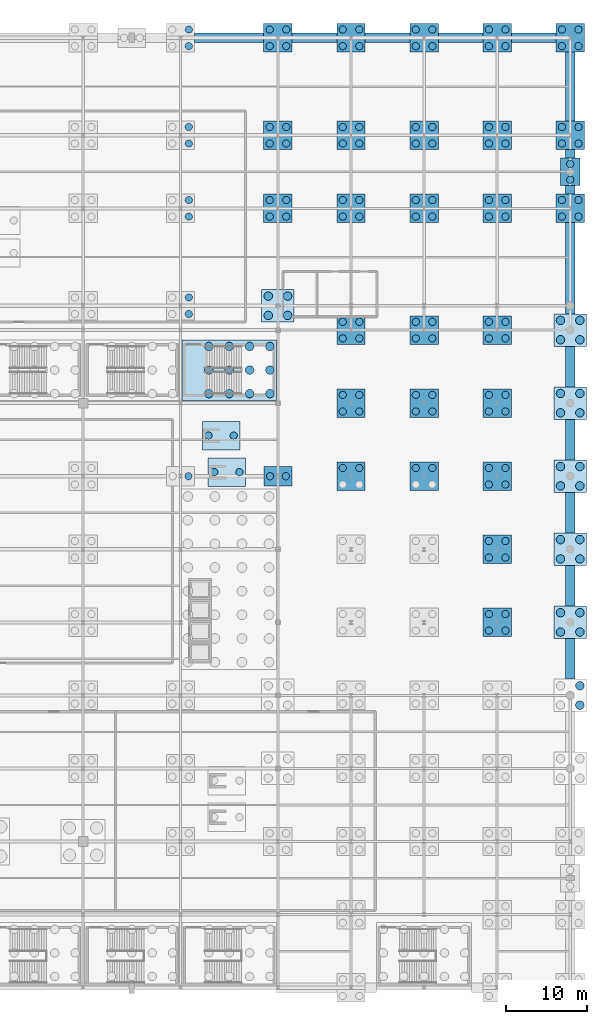
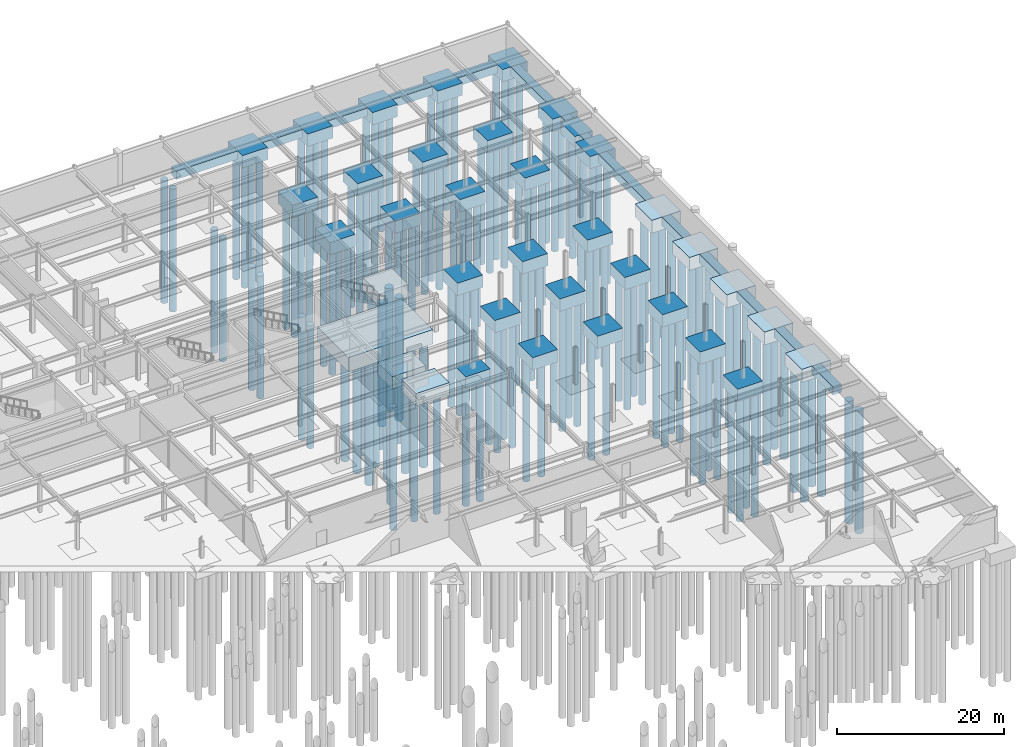
# One storey, part 7 of 47: 155 piles, 51 footings.
"""IFC4 building model written with IfcOpenShell, lengths in metres."""

from ifc_helpers import new_model, si_unit, direction, frame, origin, origin_2d, place, context, subcontext, project, spatial, rectangle, circle, extrude, material, material_profile, profile_set, type_object, element, save


model = new_model("IFC4")

# Units and contexts
model_context = context("Model", 3, precision=1e-05, world=origin(), true_north=direction((0.0, 1.0)))
body_context = subcontext(model_context, "Body", "Model", "MODEL_VIEW")
ifc_project = project(units=[si_unit("LENGTHUNIT", "METRE"), si_unit("AREAUNIT", "SQUARE_METRE"), si_unit("VOLUMEUNIT", "CUBIC_METRE"), si_unit("PLANEANGLEUNIT", "RADIAN"), si_unit("MASSUNIT", "GRAM", prefix="KILO")], contexts=[model_context])

# Site, building, storey
site_placement = place(None, origin())
site = spatial("IfcSite", under=ifc_project, at=site_placement, CompositionType="ELEMENT")
building_placement = place(site_placement, origin())
building = spatial("IfcBuilding", under=site, at=building_placement, Name="Kaldorvane Square Convention Centre", CompositionType="ELEMENT")
storey_placement = place(building_placement, frame((0.0, 0.0, -5.399993896484375)))
storey = spatial("IfcBuildingStorey", under=building, at=storey_placement, Name="B01", CompositionType="ELEMENT", Elevation=-5.399993896484375)

# Footings
ifc_material = material(Name="Concrete f'c = 42 MPa (Normalweight)", Category="concrete")
footing_type_1 = type_object("IfcFootingType", Name="FT-FB-1200X1200", PredefinedType="FOOTING_BEAM", material=ifc_material)
footing_1_placement = place(storey_placement, frame((132.0, 117.0, -1.20001220703125), z_axis=(0.0, 0.0, 1.0), x_axis=(1.0, 0.0, 0.0)))
element("IfcFooting", 1, at=footing_1_placement, inside=storey, type_object=footing_type_1, Name="Seismic Footing Beam 029", PredefinedType="FOOTING_BEAM", context=body_context, shape_type="SweptSolid", body=[
    extrude(rectangle(XDim=8.5, YDim=1.1999969482421875, at=origin_2d()), origin(), (0.0, 0.0, 1.0), 1.1999969482421875),
])
for number, where, z_axis, x_axis, name in (
    (2, (142.5, 117.0, -1.20001220703125), (0.0, 0.0, 1.0), (1.0, 0.0, 0.0), "Seismic Footing Beam 030"),
    (3, (151.5, 117.0, -1.20001220703125), (0.0, 0.0, 1.0), (1.0, 0.0, 0.0), "Seismic Footing Beam 031"),
    (4, (160.5, 117.0, -1.20001220703125), (0.0, 0.0, 1.0), (1.0, 0.0, 0.0), "Seismic Footing Beam 032"),
    (5, (169.5, 117.0, -1.20001220703125), (0.0, 0.0, 1.0), (1.0, 0.0, 0.0), "Seismic Footing Beam 033"),
):
    element("IfcFooting", number, at=place(storey_placement, frame(where, z_axis=z_axis, x_axis=x_axis)), inside=storey, type_object=footing_type_1, Name=name, PredefinedType="FOOTING_BEAM", context=body_context, shape_type="SweptSolid", body=[
        extrude(rectangle(XDim=5.5, YDim=1.1999969482421875, at=origin_2d()), origin(), (0.0, 0.0, 1.0), 1.1999969482421875),
    ])
for number, where, z_axis, x_axis, name in (
    (6, (174.0, 40.5, -1.20001220703125), (0.0, 0.0, 1.0), (1.0, 0.0, 0.0), "Seismic Footing Beam 050"),
    (7, (174.0, 49.5, -1.20001220703125), (0.0, 0.0, 1.0), (1.0, 0.0, 0.0), "Seismic Footing Beam 051"),
    (8, (174.0, 58.5, -1.20001220703125), (0.0, 0.0, 1.0), (1.0, 0.0, 0.0), "Seismic Footing Beam 052"),
    (9, (174.0, 67.5, -1.20001220703125), (0.0, 0.0, 1.0), (1.0, 0.0, 0.0), "Seismic Footing Beam 053"),
    (10, (174.0, 76.5, -1.20001220703125), (0.0, 0.0, 1.0), (1.0, 0.0, 0.0), "Seismic Footing Beam 054"),
):
    element("IfcFooting", number, at=place(storey_placement, frame(where, z_axis=z_axis, x_axis=x_axis)), inside=storey, type_object=footing_type_1, Name=name, PredefinedType="FOOTING_BEAM", context=body_context, shape_type="SweptSolid", body=[
        extrude(rectangle(XDim=1.1999969482421875, YDim=5.0, at=origin_2d()), origin(), (0.0, 0.0, 1.0), 1.1999969482421875),
    ])
footing_2_placement = place(storey_placement, frame((174.0, 88.625, -1.20001220703125), z_axis=(0.0, 0.0, 1.0), x_axis=(1.0, 0.0, 0.0)))
element("IfcFooting", 11, at=footing_2_placement, inside=storey, type_object=footing_type_1, Name="Seismic Footing Beam 055", PredefinedType="FOOTING_BEAM", context=body_context, shape_type="SweptSolid", body=[
    extrude(rectangle(XDim=1.1999969482421875, YDim=11.25, at=origin_2d()), origin(), (0.0, 0.0, 1.0), 1.1999969482421875),
])
for number, where, z_axis, x_axis, name in (
    (12, (174.0, 98.27499389648438, -1.20001220703125), (0.0, 0.0, 1.0), (1.0, 0.0, 0.0), "Seismic Footing Beam 056"),
    (13, (174.0, 102.72500610351562, -1.20001220703125), (0.0, 0.0, 1.0), (1.0, 0.0, 0.0), "Seismic Footing Beam 057"),
):
    element("IfcFooting", number, at=place(storey_placement, frame(where, z_axis=z_axis, x_axis=x_axis)), inside=storey, type_object=footing_type_1, Name=name, PredefinedType="FOOTING_BEAM", context=body_context, shape_type="SweptSolid", body=[
        extrude(rectangle(XDim=1.1999969482421875, YDim=1.0500030517578125, at=origin_2d()), origin(), (0.0, 0.0, 1.0), 1.1999969482421875),
    ])
footing_3_placement = place(storey_placement, frame((174.0, 111.0, -1.20001220703125), z_axis=(0.0, 0.0, 1.0), x_axis=(1.0, 0.0, 0.0)))
element("IfcFooting", 14, at=footing_3_placement, inside=storey, type_object=footing_type_1, Name="Seismic Footing Beam 058", PredefinedType="FOOTING_BEAM", context=body_context, shape_type="SweptSolid", body=[
    extrude(rectangle(XDim=1.1999969482421875, YDim=8.5, at=origin_2d()), origin(), (0.0, 0.0, 1.0), 1.1999969482421875),
])
footing_type_2 = type_object("IfcFootingType", Name="FT-PC-2400X3400", PredefinedType="PILE_CAP", material=ifc_material)
footing_4_placement = place(storey_placement, frame((174.0, 100.5, -1.6500091552734375), z_axis=(0.0, 0.0, 1.0), x_axis=(1.0, 0.0, 0.0)))
element("IfcFooting", 15, at=footing_4_placement, inside=storey, type_object=footing_type_2, Name="Pile Cap FC-39-271", PredefinedType="PILE_CAP", context=body_context, shape_type="SweptSolid", body=[
    extrude(rectangle(XDim=2.399993896484375, YDim=3.399993896484375, at=origin_2d()), origin(), (0.0, 0.0, 1.0), 1.649993896484375),
])
footing_type_3 = type_object("IfcFootingType", Name="FT-PC-3400X2400", PredefinedType="PILE_CAP", material=ifc_material)
footing_5_placement = place(storey_placement, frame((138.0, 63.0, -1.6500091552734375), z_axis=(0.0, 0.0, 1.0), x_axis=(1.0, 0.0, 0.0)))
element("IfcFooting", 16, at=footing_5_placement, inside=storey, type_object=footing_type_3, Name="Pile Cap FC-38-197", PredefinedType="PILE_CAP", context=body_context, shape_type="SweptSolid", body=[
    extrude(rectangle(XDim=3.399993896484375, YDim=2.399993896484375, at=origin_2d()), origin(), (0.0, 0.0, 1.0), 1.649993896484375),
])
footing_type_4 = type_object("IfcFootingType", Name="FT-PC-3500X3500", PredefinedType="PILE_CAP", material=ifc_material)
for number, where, z_axis, x_axis, name in (
    (17, (138.0, 96.0, -1.800018310546875), (0.0, 0.0, 1.0), (1.0, 0.0, 0.0), "Pile Cap FC-36-201"),
    (18, (138.0, 105.0, -1.800018310546875), (0.0, 0.0, 1.0), (1.0, 0.0, 0.0), "Pile Cap FC-36-202"),
    (19, (138.0, 117.0, -1.800018310546875), (0.0, 0.0, 1.0), (1.0, 0.0, 0.0), "Pile Cap FC-36-203"),
    (20, (147.0, 63.0, -1.800018310546875), (0.0, 0.0, 1.0), (1.0, 0.0, 0.0), "Pile Cap FC-36-211"),
    (21, (147.0, 72.0, -1.800018310546875), (0.0, 0.0, 1.0), (1.0, 0.0, 0.0), "Pile Cap FC-36-212"),
    (22, (147.0, 81.0, -1.800018310546875), (0.0, 0.0, 1.0), (1.0, 0.0, 0.0), "Pile Cap FC-36-213"),
    (23, (147.0, 96.0, -1.800018310546875), (0.0, 0.0, 1.0), (1.0, 0.0, 0.0), "Pile Cap FC-36-215"),
    (24, (147.0, 105.0, -1.800018310546875), (0.0, 0.0, 1.0), (1.0, 0.0, 0.0), "Pile Cap FC-36-216"),
    (25, (147.0, 117.0, -1.800018310546875), (0.0, 0.0, 1.0), (1.0, 0.0, 0.0), "Pile Cap FC-36-217"),
    (26, (156.0, 63.0, -1.800018310546875), (0.0, 0.0, 1.0), (1.0, 0.0, 0.0), "Pile Cap FC-36-225"),
    (27, (156.0, 72.0, -1.800018310546875), (0.0, 0.0, 1.0), (1.0, 0.0, 0.0), "Pile Cap FC-36-226"),
    (28, (156.0, 81.0, -1.800018310546875), (0.0, 0.0, 1.0), (1.0, 0.0, 0.0), "Pile Cap FC-36-227"),
    (29, (156.0, 96.0, -1.800018310546875), (0.0, 0.0, 1.0), (1.0, 0.0, 0.0), "Pile Cap FC-36-229"),
    (30, (156.0, 105.0, -1.800018310546875), (0.0, 0.0, 1.0), (1.0, 0.0, 0.0), "Pile Cap FC-36-230"),
    (31, (156.0, 117.0, -1.800018310546875), (0.0, 0.0, 1.0), (1.0, 0.0, 0.0), "Pile Cap FC-36-231"),
    (32, (165.0, 45.0, -1.800018310546875), (0.0, 0.0, 1.0), (1.0, 0.0, 0.0), "Pile Cap FC-36-237"),
    (33, (165.0, 54.0, -1.800018310546875), (0.0, 0.0, 1.0), (1.0, 0.0, 0.0), "Pile Cap FC-36-238"),
    (34, (165.0, 63.0, -1.800018310546875), (0.0, 0.0, 1.0), (1.0, 0.0, 0.0), "Pile Cap FC-36-239"),
    (35, (165.0, 72.0, -1.800018310546875), (0.0, 0.0, 1.0), (1.0, 0.0, 0.0), "Pile Cap FC-36-240"),
    (36, (165.0, 81.0, -1.800018310546875), (0.0, 0.0, 1.0), (1.0, 0.0, 0.0), "Pile Cap FC-36-241"),
    (37, (165.0, 96.0, -1.800018310546875), (0.0, 0.0, 1.0), (1.0, 0.0, 0.0), "Pile Cap FC-36-243"),
    (38, (165.0, 105.0, -1.800018310546875), (0.0, 0.0, 1.0), (1.0, 0.0, 0.0), "Pile Cap FC-36-244"),
    (39, (165.0, 117.0, -1.800018310546875), (0.0, 0.0, 1.0), (1.0, 0.0, 0.0), "Pile Cap FC-36-245"),
    (40, (174.0, 96.0, -1.800018310546875), (0.0, 0.0, 1.0), (1.0, 0.0, 0.0), "Pile Cap FC-36-257"),
    (41, (174.0, 105.0, -1.800018310546875), (0.0, 0.0, 1.0), (1.0, 0.0, 0.0), "Pile Cap FC-36-258"),
    (42, (174.0, 117.0, -1.800018310546875), (0.0, 0.0, 1.0), (1.0, 0.0, 0.0), "Pile Cap FC-36-259"),
):
    element("IfcFooting", number, at=place(storey_placement, frame(where, z_axis=z_axis, x_axis=x_axis)), inside=storey, type_object=footing_type_4, Name=name, PredefinedType="PILE_CAP", context=body_context, shape_type="SweptSolid", body=[
        extrude(rectangle(XDim=3.5, YDim=3.5, at=origin_2d()), origin(), (0.0, 0.0, 1.0), 1.8000030517578125),
    ])
footing_type_5 = type_object("IfcFootingType", Name="FT-PC-4000X4000", PredefinedType="PILE_CAP", material=ifc_material)
for number, where, z_axis, x_axis, name in (
    (43, (138.0, 84.0, -1.9000091552734375), (0.0, 0.0, 1.0), (1.0, 0.0, 0.0), "Pile Cap FC-35-200"),
    (44, (174.0, 45.0, -1.9000091552734375), (0.0, 0.0, 1.0), (1.0, 0.0, 0.0), "Pile Cap FC-35-251"),
    (45, (174.0, 54.0, -1.9000091552734375), (0.0, 0.0, 1.0), (1.0, 0.0, 0.0), "Pile Cap FC-35-252"),
    (46, (174.0, 63.0, -1.9000091552734375), (0.0, 0.0, 1.0), (1.0, 0.0, 0.0), "Pile Cap FC-35-253"),
    (47, (174.0, 72.0, -1.9000091552734375), (0.0, 0.0, 1.0), (1.0, 0.0, 0.0), "Pile Cap FC-35-254"),
    (48, (174.0, 81.0, -1.9000091552734375), (0.0, 0.0, 1.0), (1.0, 0.0, 0.0), "Pile Cap FC-35-255"),
):
    element("IfcFooting", number, at=place(storey_placement, frame(where, z_axis=z_axis, x_axis=x_axis)), inside=storey, type_object=footing_type_5, Name=name, PredefinedType="PILE_CAP", context=body_context, shape_type="SweptSolid", body=[
        extrude(rectangle(XDim=4.0, YDim=4.0, at=origin_2d()), origin(), (0.0, 0.0, 1.0), 1.899993896484375),
    ])
footing_type_6 = type_object("IfcFootingType", Name="FT-PC-FSTR-ST-F3", PredefinedType="PILE_CAP", material=ifc_material)
footing_6_placement = place(storey_placement, frame((131.6999969482422, 63.5, -1.800018310546875), z_axis=(0.0, 0.0, 1.0), x_axis=(1.0, 0.0, 0.0)))
element("IfcFooting", 49, at=footing_6_placement, inside=storey, type_object=footing_type_6, Name="Core Pile Cap FC-26", PredefinedType="PILE_CAP", context=body_context, shape_type="SweptSolid", body=[
    extrude(rectangle(XDim=4.600006103515625, YDim=3.5, at=origin_2d()), origin(), (0.0, 0.0, 1.0), 1.8000030517578125),
])
footing_type_7 = type_object("IfcFootingType", Name="FT-PC-FSTR-ST-F4", PredefinedType="PILE_CAP", material=ifc_material)
footing_7_placement = place(storey_placement, frame((131.0, 68.0, -1.800018310546875), z_axis=(0.0, 0.0, 1.0), x_axis=(1.0, 0.0, 0.0)))
element("IfcFooting", 50, at=footing_7_placement, inside=storey, type_object=footing_type_7, Name="Core Pile Cap FC-27", PredefinedType="PILE_CAP", context=body_context, shape_type="SweptSolid", body=[
    extrude(rectangle(XDim=4.600006103515625, YDim=3.5, at=origin_2d()), origin(), (0.0, 0.0, 1.0), 1.8000030517578125),
])
footing_type_8 = type_object("IfcFootingType", Name="FT-PC-STAIR-ST-C18", PredefinedType="PILE_CAP", material=ifc_material)
footing_8_placement = place(storey_placement, frame((132.0, 76.08000183105469, -2.100006103515625), z_axis=(0.0, 0.0, 1.0), x_axis=(1.0, 0.0, 0.0)))
element("IfcFooting", 51, at=footing_8_placement, inside=storey, type_object=footing_type_8, Name="Core Pile Cap FC-23", PredefinedType="PILE_CAP", context=body_context, shape_type="SweptSolid", body=[
    extrude(rectangle(XDim=11.67999267578125, YDim=7.4600067138671875, at=origin_2d()), origin(), (0.0, 0.0, 1.0), 2.100006103515625),
])

# Piles
ifc_material_profile_1 = material_profile(ifc_material, circle(Radius=0.524993896484375, at=origin_2d()), Name="PILE-D1050")
ifc_profile_set_1 = profile_set([ifc_material_profile_1], Name="Concrete f'c = 42 MPa (Normalweight)")
pile_type_1 = type_object("IfcPileType", Name="PL-CIDH-1050", PredefinedType="BORED", material=ifc_profile_set_1)
for number, where, z_axis, x_axis, name in (
    (52, (129.49249267578125, 73.17500305175781, -2.100006103515625), (0.0, 0.0, -1.0), (1.0, 0.0, 0.0), "Bored Pile 0284"),
    (53, (129.49249267578125, 76.08000183105469, -2.100006103515625), (0.0, 0.0, -1.0), (1.0, 0.0, 0.0), "Bored Pile 0285"),
    (54, (129.49249267578125, 78.98500061035156, -2.100006103515625), (0.0, 0.0, -1.0), (1.0, 0.0, 0.0), "Bored Pile 0286"),
    (55, (132.0, 73.17500305175781, -2.100006103515625), (0.0, 0.0, -1.0), (1.0, 0.0, 0.0), "Bored Pile 0287"),
    (56, (132.0, 76.08000183105469, -2.100006103515625), (0.0, 0.0, -1.0), (1.0, 0.0, 0.0), "Bored Pile 0288"),
    (57, (132.0, 78.98500061035156, -2.100006103515625), (0.0, 0.0, -1.0), (1.0, 0.0, 0.0), "Bored Pile 0289"),
    (58, (134.50750732421875, 73.17500305175781, -2.100006103515625), (0.0, 0.0, -1.0), (1.0, 0.0, 0.0), "Bored Pile 0290"),
    (59, (134.50750732421875, 76.08000183105469, -2.100006103515625), (0.0, 0.0, -1.0), (1.0, 0.0, 0.0), "Bored Pile 0291"),
    (60, (134.50750732421875, 78.98500061035156, -2.100006103515625), (0.0, 0.0, -1.0), (1.0, 0.0, 0.0), "Bored Pile 0292"),
    (61, (137.01499938964844, 73.17500305175781, -2.100006103515625), (0.0, 0.0, -1.0), (1.0, 0.0, 0.0), "Bored Pile 0293"),
    (62, (137.01499938964844, 76.08000183105469, -2.100006103515625), (0.0, 0.0, -1.0), (1.0, 0.0, 0.0), "Bored Pile 0294"),
    (63, (137.01499938964844, 78.98500061035156, -2.100006103515625), (0.0, 0.0, -1.0), (1.0, 0.0, 0.0), "Bored Pile 0295"),
    (64, (136.80499267578125, 82.80499267578125, -1.9000091552734375), (0.0, 0.0, -1.0), (1.0, 0.0, 0.0), "Bored Pile 0848"),
    (65, (136.80499267578125, 85.19500732421875, -1.9000091552734375), (0.0, 0.0, -1.0), (1.0, 0.0, 0.0), "Bored Pile 0849"),
    (66, (139.19500732421875, 82.80499267578125, -1.9000091552734375), (0.0, 0.0, -1.0), (1.0, 0.0, 0.0), "Bored Pile 0850"),
    (67, (139.19500732421875, 85.19500732421875, -1.9000091552734375), (0.0, 0.0, -1.0), (1.0, 0.0, 0.0), "Bored Pile 0851"),
    (68, (175.19500732421875, 34.80499267578125, -1.9000091552734375), (0.0, 0.0, -1.0), (1.0, 0.0, 0.0), "Bored Pile 1030"),
    (69, (175.19500732421875, 37.19500732421875, -1.9000091552734375), (0.0, 0.0, -1.0), (1.0, 0.0, 0.0), "Bored Pile 1031"),
    (70, (172.80499267578125, 43.80499267578125, -1.9000091552734375), (0.0, 0.0, -1.0), (1.0, 0.0, 0.0), "Bored Pile 1032"),
    (71, (172.80499267578125, 46.19500732421875, -1.9000091552734375), (0.0, 0.0, -1.0), (1.0, 0.0, 0.0), "Bored Pile 1033"),
    (72, (175.19500732421875, 43.80499267578125, -1.9000091552734375), (0.0, 0.0, -1.0), (1.0, 0.0, 0.0), "Bored Pile 1034"),
    (73, (175.19500732421875, 46.19500732421875, -1.9000091552734375), (0.0, 0.0, -1.0), (1.0, 0.0, 0.0), "Bored Pile 1035"),
    (74, (172.80499267578125, 52.80499267578125, -1.9000091552734375), (0.0, 0.0, -1.0), (1.0, 0.0, 0.0), "Bored Pile 1036"),
    (75, (172.80499267578125, 55.19500732421875, -1.9000091552734375), (0.0, 0.0, -1.0), (1.0, 0.0, 0.0), "Bored Pile 1037"),
    (76, (175.19500732421875, 52.80499267578125, -1.9000091552734375), (0.0, 0.0, -1.0), (1.0, 0.0, 0.0), "Bored Pile 1038"),
    (77, (175.19500732421875, 55.19500732421875, -1.9000091552734375), (0.0, 0.0, -1.0), (1.0, 0.0, 0.0), "Bored Pile 1039"),
    (78, (172.80499267578125, 61.80499267578125, -1.9000091552734375), (0.0, 0.0, -1.0), (1.0, 0.0, 0.0), "Bored Pile 1040"),
    (79, (172.80499267578125, 64.19500732421875, -1.9000091552734375), (0.0, 0.0, -1.0), (1.0, 0.0, 0.0), "Bored Pile 1041"),
    (80, (175.19500732421875, 61.80499267578125, -1.9000091552734375), (0.0, 0.0, -1.0), (1.0, 0.0, 0.0), "Bored Pile 1042"),
    (81, (175.19500732421875, 64.19500732421875, -1.9000091552734375), (0.0, 0.0, -1.0), (1.0, 0.0, 0.0), "Bored Pile 1043"),
    (82, (172.80499267578125, 70.80499267578125, -1.9000091552734375), (0.0, 0.0, -1.0), (1.0, 0.0, 0.0), "Bored Pile 1044"),
    (83, (172.80499267578125, 73.19500732421875, -1.9000091552734375), (0.0, 0.0, -1.0), (1.0, 0.0, 0.0), "Bored Pile 1045"),
    (84, (175.19500732421875, 70.80499267578125, -1.9000091552734375), (0.0, 0.0, -1.0), (1.0, 0.0, 0.0), "Bored Pile 1046"),
    (85, (175.19500732421875, 73.19500732421875, -1.9000091552734375), (0.0, 0.0, -1.0), (1.0, 0.0, 0.0), "Bored Pile 1047"),
    (86, (172.80499267578125, 79.80499267578125, -1.9000091552734375), (0.0, 0.0, -1.0), (1.0, 0.0, 0.0), "Bored Pile 1048"),
    (87, (172.80499267578125, 82.19500732421875, -1.9000091552734375), (0.0, 0.0, -1.0), (1.0, 0.0, 0.0), "Bored Pile 1049"),
    (88, (175.19500732421875, 79.80499267578125, -1.9000091552734375), (0.0, 0.0, -1.0), (1.0, 0.0, 0.0), "Bored Pile 1050"),
    (89, (175.19500732421875, 82.19500732421875, -1.9000091552734375), (0.0, 0.0, -1.0), (1.0, 0.0, 0.0), "Bored Pile 1051"),
):
    element("IfcPile", number, at=place(storey_placement, frame(where, z_axis=z_axis, x_axis=x_axis)), inside=storey, type_object=pile_type_1, Name=name, PredefinedType="BORED", context=body_context, shape_type="SweptSolid", body=[
        extrude(circle(Radius=0.524993896484375, at=origin_2d()), origin(), (0.0, 0.0, 1.0), 18.0),
    ])
ifc_material_profile_2 = material_profile(ifc_material, circle(Radius=0.4499969482421875, at=origin_2d()), Name="PILE-D900")
ifc_profile_set_2 = profile_set([ifc_material_profile_2], Name="Concrete f'c = 42 MPa (Normalweight)")
pile_type_2 = type_object("IfcPileType", Name="PL-CIDH-900", PredefinedType="BORED", material=ifc_profile_set_2)
for number, where, z_axis, x_axis, name in (
    (90, (130.14999389648438, 63.5, -1.8000030517578125), (0.0, 0.0, -1.0), (1.0, 0.0, 0.0), "Bored Pile 0300"),
    (91, (133.25, 63.5, -1.8000030517578125), (0.0, 0.0, -1.0), (1.0, 0.0, 0.0), "Bored Pile 0301"),
    (92, (129.4499969482422, 68.0, -1.8000030517578125), (0.0, 0.0, -1.0), (1.0, 0.0, 0.0), "Bored Pile 0302"),
    (93, (132.5500030517578, 68.0, -1.8000030517578125), (0.0, 0.0, -1.0), (1.0, 0.0, 0.0), "Bored Pile 0303"),
    (94, (126.97000122070312, 63.0, -1.6500091552734375), (0.0, 0.0, -1.0), (1.0, 0.0, 0.0), "Bored Pile 0817"),
    (95, (127.02000427246094, 82.97999572753906, -1.8000030517578125), (0.0, 0.0, -1.0), (1.0, 0.0, 0.0), "Bored Pile 0820"),
    (96, (127.02000427246094, 85.02000427246094, -1.8000030517578125), (0.0, 0.0, -1.0), (1.0, 0.0, 0.0), "Bored Pile 0821"),
    (97, (127.02000427246094, 94.97999572753906, -1.8000030517578125), (0.0, 0.0, -1.0), (1.0, 0.0, 0.0), "Bored Pile 0824"),
    (98, (127.02000427246094, 97.02000427246094, -1.8000030517578125), (0.0, 0.0, -1.0), (1.0, 0.0, 0.0), "Bored Pile 0825"),
    (99, (127.02000427246094, 103.97999572753906, -1.8000030517578125), (0.0, 0.0, -1.0), (1.0, 0.0, 0.0), "Bored Pile 0828"),
    (100, (127.02000427246094, 106.02000427246094, -1.8000030517578125), (0.0, 0.0, -1.0), (1.0, 0.0, 0.0), "Bored Pile 0829"),
    (101, (127.02000427246094, 115.97999572753906, -1.8000030517578125), (0.0, 0.0, -1.0), (1.0, 0.0, 0.0), "Bored Pile 0832"),
    (102, (127.02000427246094, 118.02000427246094, -1.8000030517578125), (0.0, 0.0, -1.0), (1.0, 0.0, 0.0), "Bored Pile 0833"),
    (103, (137.02999877929688, 63.0, -1.6500091552734375), (0.0, 0.0, -1.0), (1.0, 0.0, 0.0), "Bored Pile 0846"),
    (104, (138.97000122070312, 63.0, -1.6500091552734375), (0.0, 0.0, -1.0), (1.0, 0.0, 0.0), "Bored Pile 0847"),
    (105, (136.97999572753906, 94.97999572753906, -1.8000030517578125), (0.0, 0.0, -1.0), (1.0, 0.0, 0.0), "Bored Pile 0852"),
    (106, (136.97999572753906, 97.02000427246094, -1.8000030517578125), (0.0, 0.0, -1.0), (1.0, 0.0, 0.0), "Bored Pile 0853"),
    (107, (139.02000427246094, 94.97999572753906, -1.8000030517578125), (0.0, 0.0, -1.0), (1.0, 0.0, 0.0), "Bored Pile 0854"),
    (108, (139.02000427246094, 97.02000427246094, -1.8000030517578125), (0.0, 0.0, -1.0), (1.0, 0.0, 0.0), "Bored Pile 0855"),
    (109, (136.97999572753906, 103.97999572753906, -1.8000030517578125), (0.0, 0.0, -1.0), (1.0, 0.0, 0.0), "Bored Pile 0856"),
    (110, (136.97999572753906, 106.02000427246094, -1.8000030517578125), (0.0, 0.0, -1.0), (1.0, 0.0, 0.0), "Bored Pile 0857"),
    (111, (139.02000427246094, 103.97999572753906, -1.8000030517578125), (0.0, 0.0, -1.0), (1.0, 0.0, 0.0), "Bored Pile 0858"),
    (112, (139.02000427246094, 106.02000427246094, -1.8000030517578125), (0.0, 0.0, -1.0), (1.0, 0.0, 0.0), "Bored Pile 0859"),
    (113, (136.97999572753906, 115.97999572753906, -1.8000030517578125), (0.0, 0.0, -1.0), (1.0, 0.0, 0.0), "Bored Pile 0860"),
    (114, (136.97999572753906, 118.02000427246094, -1.8000030517578125), (0.0, 0.0, -1.0), (1.0, 0.0, 0.0), "Bored Pile 0861"),
    (115, (139.02000427246094, 115.97999572753906, -1.8000030517578125), (0.0, 0.0, -1.0), (1.0, 0.0, 0.0), "Bored Pile 0862"),
    (116, (139.02000427246094, 118.02000427246094, -1.8000030517578125), (0.0, 0.0, -1.0), (1.0, 0.0, 0.0), "Bored Pile 0863"),
    (117, (145.97999572753906, 64.02000427246094, -1.8000030517578125), (0.0, 0.0, -1.0), (1.0, 0.0, 0.0), "Bored Pile 0893"),
    (118, (148.02000427246094, 64.02000427246094, -1.8000030517578125), (0.0, 0.0, -1.0), (1.0, 0.0, 0.0), "Bored Pile 0895"),
    (119, (145.97999572753906, 70.97999572753906, -1.8000030517578125), (0.0, 0.0, -1.0), (1.0, 0.0, 0.0), "Bored Pile 0896"),
    (120, (145.97999572753906, 73.02000427246094, -1.8000030517578125), (0.0, 0.0, -1.0), (1.0, 0.0, 0.0), "Bored Pile 0897"),
    (121, (148.02000427246094, 70.97999572753906, -1.8000030517578125), (0.0, 0.0, -1.0), (1.0, 0.0, 0.0), "Bored Pile 0898"),
    (122, (148.02000427246094, 73.02000427246094, -1.8000030517578125), (0.0, 0.0, -1.0), (1.0, 0.0, 0.0), "Bored Pile 0899"),
    (123, (145.97999572753906, 79.97999572753906, -1.8000030517578125), (0.0, 0.0, -1.0), (1.0, 0.0, 0.0), "Bored Pile 0900"),
    (124, (145.97999572753906, 82.02000427246094, -1.8000030517578125), (0.0, 0.0, -1.0), (1.0, 0.0, 0.0), "Bored Pile 0901"),
    (125, (148.02000427246094, 79.97999572753906, -1.8000030517578125), (0.0, 0.0, -1.0), (1.0, 0.0, 0.0), "Bored Pile 0902"),
    (126, (148.02000427246094, 82.02000427246094, -1.8000030517578125), (0.0, 0.0, -1.0), (1.0, 0.0, 0.0), "Bored Pile 0903"),
    (127, (145.97999572753906, 94.97999572753906, -1.8000030517578125), (0.0, 0.0, -1.0), (1.0, 0.0, 0.0), "Bored Pile 0904"),
    (128, (145.97999572753906, 97.02000427246094, -1.8000030517578125), (0.0, 0.0, -1.0), (1.0, 0.0, 0.0), "Bored Pile 0905"),
    (129, (148.02000427246094, 94.97999572753906, -1.8000030517578125), (0.0, 0.0, -1.0), (1.0, 0.0, 0.0), "Bored Pile 0906"),
    (130, (148.02000427246094, 97.02000427246094, -1.8000030517578125), (0.0, 0.0, -1.0), (1.0, 0.0, 0.0), "Bored Pile 0907"),
    (131, (145.97999572753906, 103.97999572753906, -1.8000030517578125), (0.0, 0.0, -1.0), (1.0, 0.0, 0.0), "Bored Pile 0908"),
    (132, (145.97999572753906, 106.02000427246094, -1.8000030517578125), (0.0, 0.0, -1.0), (1.0, 0.0, 0.0), "Bored Pile 0909"),
    (133, (148.02000427246094, 103.97999572753906, -1.8000030517578125), (0.0, 0.0, -1.0), (1.0, 0.0, 0.0), "Bored Pile 0910"),
    (134, (148.02000427246094, 106.02000427246094, -1.8000030517578125), (0.0, 0.0, -1.0), (1.0, 0.0, 0.0), "Bored Pile 0911"),
    (135, (145.97999572753906, 115.97999572753906, -1.8000030517578125), (0.0, 0.0, -1.0), (1.0, 0.0, 0.0), "Bored Pile 0912"),
    (136, (145.97999572753906, 118.02000427246094, -1.8000030517578125), (0.0, 0.0, -1.0), (1.0, 0.0, 0.0), "Bored Pile 0913"),
    (137, (148.02000427246094, 115.97999572753906, -1.8000030517578125), (0.0, 0.0, -1.0), (1.0, 0.0, 0.0), "Bored Pile 0914"),
    (138, (148.02000427246094, 118.02000427246094, -1.8000030517578125), (0.0, 0.0, -1.0), (1.0, 0.0, 0.0), "Bored Pile 0915"),
    (139, (154.97999572753906, 64.02000427246094, -1.8000030517578125), (0.0, 0.0, -1.0), (1.0, 0.0, 0.0), "Bored Pile 0937"),
    (140, (157.02000427246094, 64.02000427246094, -1.8000030517578125), (0.0, 0.0, -1.0), (1.0, 0.0, 0.0), "Bored Pile 0939"),
    (141, (154.97999572753906, 70.97999572753906, -1.8000030517578125), (0.0, 0.0, -1.0), (1.0, 0.0, 0.0), "Bored Pile 0940"),
    (142, (154.97999572753906, 73.02000427246094, -1.8000030517578125), (0.0, 0.0, -1.0), (1.0, 0.0, 0.0), "Bored Pile 0941"),
    (143, (157.02000427246094, 70.97999572753906, -1.8000030517578125), (0.0, 0.0, -1.0), (1.0, 0.0, 0.0), "Bored Pile 0942"),
    (144, (157.02000427246094, 73.02000427246094, -1.8000030517578125), (0.0, 0.0, -1.0), (1.0, 0.0, 0.0), "Bored Pile 0943"),
    (145, (154.97999572753906, 79.97999572753906, -1.8000030517578125), (0.0, 0.0, -1.0), (1.0, 0.0, 0.0), "Bored Pile 0944"),
    (146, (154.97999572753906, 82.02000427246094, -1.8000030517578125), (0.0, 0.0, -1.0), (1.0, 0.0, 0.0), "Bored Pile 0945"),
    (147, (157.02000427246094, 79.97999572753906, -1.8000030517578125), (0.0, 0.0, -1.0), (1.0, 0.0, 0.0), "Bored Pile 0946"),
    (148, (157.02000427246094, 82.02000427246094, -1.8000030517578125), (0.0, 0.0, -1.0), (1.0, 0.0, 0.0), "Bored Pile 0947"),
    (149, (154.97999572753906, 94.97999572753906, -1.8000030517578125), (0.0, 0.0, -1.0), (1.0, 0.0, 0.0), "Bored Pile 0948"),
    (150, (154.97999572753906, 97.02000427246094, -1.8000030517578125), (0.0, 0.0, -1.0), (1.0, 0.0, 0.0), "Bored Pile 0949"),
    (151, (157.02000427246094, 94.97999572753906, -1.8000030517578125), (0.0, 0.0, -1.0), (1.0, 0.0, 0.0), "Bored Pile 0950"),
    (152, (157.02000427246094, 97.02000427246094, -1.8000030517578125), (0.0, 0.0, -1.0), (1.0, 0.0, 0.0), "Bored Pile 0951"),
    (153, (154.97999572753906, 103.97999572753906, -1.8000030517578125), (0.0, 0.0, -1.0), (1.0, 0.0, 0.0), "Bored Pile 0952"),
    (154, (154.97999572753906, 106.02000427246094, -1.8000030517578125), (0.0, 0.0, -1.0), (1.0, 0.0, 0.0), "Bored Pile 0953"),
    (155, (157.02000427246094, 103.97999572753906, -1.8000030517578125), (0.0, 0.0, -1.0), (1.0, 0.0, 0.0), "Bored Pile 0954"),
    (156, (157.02000427246094, 106.02000427246094, -1.8000030517578125), (0.0, 0.0, -1.0), (1.0, 0.0, 0.0), "Bored Pile 0955"),
    (157, (154.97999572753906, 115.97999572753906, -1.8000030517578125), (0.0, 0.0, -1.0), (1.0, 0.0, 0.0), "Bored Pile 0956"),
    (158, (154.97999572753906, 118.02000427246094, -1.8000030517578125), (0.0, 0.0, -1.0), (1.0, 0.0, 0.0), "Bored Pile 0957"),
    (159, (157.02000427246094, 115.97999572753906, -1.8000030517578125), (0.0, 0.0, -1.0), (1.0, 0.0, 0.0), "Bored Pile 0958"),
    (160, (157.02000427246094, 118.02000427246094, -1.8000030517578125), (0.0, 0.0, -1.0), (1.0, 0.0, 0.0), "Bored Pile 0959"),
    (161, (163.97999572753906, 43.97999572753906, -1.8000030517578125), (0.0, 0.0, -1.0), (1.0, 0.0, 0.0), "Bored Pile 0980"),
    (162, (163.97999572753906, 46.02000427246094, -1.8000030517578125), (0.0, 0.0, -1.0), (1.0, 0.0, 0.0), "Bored Pile 0981"),
    (163, (166.02000427246094, 43.97999572753906, -1.8000030517578125), (0.0, 0.0, -1.0), (1.0, 0.0, 0.0), "Bored Pile 0982"),
    (164, (166.02000427246094, 46.02000427246094, -1.8000030517578125), (0.0, 0.0, -1.0), (1.0, 0.0, 0.0), "Bored Pile 0983"),
    (165, (163.97999572753906, 52.97999572753906, -1.8000030517578125), (0.0, 0.0, -1.0), (1.0, 0.0, 0.0), "Bored Pile 0984"),
    (166, (163.97999572753906, 55.02000427246094, -1.8000030517578125), (0.0, 0.0, -1.0), (1.0, 0.0, 0.0), "Bored Pile 0985"),
    (167, (166.02000427246094, 52.97999572753906, -1.8000030517578125), (0.0, 0.0, -1.0), (1.0, 0.0, 0.0), "Bored Pile 0986"),
    (168, (166.02000427246094, 55.02000427246094, -1.8000030517578125), (0.0, 0.0, -1.0), (1.0, 0.0, 0.0), "Bored Pile 0987"),
    (169, (163.97999572753906, 61.97999572753906, -1.8000030517578125), (0.0, 0.0, -1.0), (1.0, 0.0, 0.0), "Bored Pile 0988"),
    (170, (163.97999572753906, 64.02000427246094, -1.8000030517578125), (0.0, 0.0, -1.0), (1.0, 0.0, 0.0), "Bored Pile 0989"),
    (171, (166.02000427246094, 61.97999572753906, -1.8000030517578125), (0.0, 0.0, -1.0), (1.0, 0.0, 0.0), "Bored Pile 0990"),
    (172, (166.02000427246094, 64.02000427246094, -1.8000030517578125), (0.0, 0.0, -1.0), (1.0, 0.0, 0.0), "Bored Pile 0991"),
    (173, (163.97999572753906, 70.97999572753906, -1.8000030517578125), (0.0, 0.0, -1.0), (1.0, 0.0, 0.0), "Bored Pile 0992"),
    (174, (163.97999572753906, 73.02000427246094, -1.8000030517578125), (0.0, 0.0, -1.0), (1.0, 0.0, 0.0), "Bored Pile 0993"),
    (175, (166.02000427246094, 70.97999572753906, -1.8000030517578125), (0.0, 0.0, -1.0), (1.0, 0.0, 0.0), "Bored Pile 0994"),
    (176, (166.02000427246094, 73.02000427246094, -1.8000030517578125), (0.0, 0.0, -1.0), (1.0, 0.0, 0.0), "Bored Pile 0995"),
    (177, (163.97999572753906, 79.97999572753906, -1.8000030517578125), (0.0, 0.0, -1.0), (1.0, 0.0, 0.0), "Bored Pile 0996"),
    (178, (163.97999572753906, 82.02000427246094, -1.8000030517578125), (0.0, 0.0, -1.0), (1.0, 0.0, 0.0), "Bored Pile 0997"),
    (179, (166.02000427246094, 79.97999572753906, -1.8000030517578125), (0.0, 0.0, -1.0), (1.0, 0.0, 0.0), "Bored Pile 0998"),
    (180, (166.02000427246094, 82.02000427246094, -1.8000030517578125), (0.0, 0.0, -1.0), (1.0, 0.0, 0.0), "Bored Pile 0999"),
    (181, (163.97999572753906, 94.97999572753906, -1.8000030517578125), (0.0, 0.0, -1.0), (1.0, 0.0, 0.0), "Bored Pile 1000"),
    (182, (163.97999572753906, 97.02000427246094, -1.8000030517578125), (0.0, 0.0, -1.0), (1.0, 0.0, 0.0), "Bored Pile 1001"),
    (183, (166.02000427246094, 94.97999572753906, -1.8000030517578125), (0.0, 0.0, -1.0), (1.0, 0.0, 0.0), "Bored Pile 1002"),
    (184, (166.02000427246094, 97.02000427246094, -1.8000030517578125), (0.0, 0.0, -1.0), (1.0, 0.0, 0.0), "Bored Pile 1003"),
    (185, (163.97999572753906, 103.97999572753906, -1.8000030517578125), (0.0, 0.0, -1.0), (1.0, 0.0, 0.0), "Bored Pile 1004"),
    (186, (163.97999572753906, 106.02000427246094, -1.8000030517578125), (0.0, 0.0, -1.0), (1.0, 0.0, 0.0), "Bored Pile 1005"),
    (187, (166.02000427246094, 103.97999572753906, -1.8000030517578125), (0.0, 0.0, -1.0), (1.0, 0.0, 0.0), "Bored Pile 1006"),
    (188, (166.02000427246094, 106.02000427246094, -1.8000030517578125), (0.0, 0.0, -1.0), (1.0, 0.0, 0.0), "Bored Pile 1007"),
    (189, (163.97999572753906, 115.97999572753906, -1.8000030517578125), (0.0, 0.0, -1.0), (1.0, 0.0, 0.0), "Bored Pile 1008"),
    (190, (163.97999572753906, 118.02000427246094, -1.8000030517578125), (0.0, 0.0, -1.0), (1.0, 0.0, 0.0), "Bored Pile 1009"),
    (191, (166.02000427246094, 115.97999572753906, -1.8000030517578125), (0.0, 0.0, -1.0), (1.0, 0.0, 0.0), "Bored Pile 1010"),
    (192, (166.02000427246094, 118.02000427246094, -1.8000030517578125), (0.0, 0.0, -1.0), (1.0, 0.0, 0.0), "Bored Pile 1011"),
    (193, (172.97999572753906, 94.97999572753906, -1.8000030517578125), (0.0, 0.0, -1.0), (1.0, 0.0, 0.0), "Bored Pile 1052"),
    (194, (172.97999572753906, 97.02000427246094, -1.8000030517578125), (0.0, 0.0, -1.0), (1.0, 0.0, 0.0), "Bored Pile 1053"),
    (195, (175.02000427246094, 94.97999572753906, -1.8000030517578125), (0.0, 0.0, -1.0), (1.0, 0.0, 0.0), "Bored Pile 1054"),
    (196, (175.02000427246094, 97.02000427246094, -1.8000030517578125), (0.0, 0.0, -1.0), (1.0, 0.0, 0.0), "Bored Pile 1055"),
    (197, (172.97999572753906, 103.97999572753906, -1.8000030517578125), (0.0, 0.0, -1.0), (1.0, 0.0, 0.0), "Bored Pile 1056"),
    (198, (172.97999572753906, 106.02000427246094, -1.8000030517578125), (0.0, 0.0, -1.0), (1.0, 0.0, 0.0), "Bored Pile 1057"),
    (199, (175.02000427246094, 103.97999572753906, -1.8000030517578125), (0.0, 0.0, -1.0), (1.0, 0.0, 0.0), "Bored Pile 1058"),
    (200, (175.02000427246094, 106.02000427246094, -1.8000030517578125), (0.0, 0.0, -1.0), (1.0, 0.0, 0.0), "Bored Pile 1059"),
    (201, (172.97999572753906, 115.97999572753906, -1.8000030517578125), (0.0, 0.0, -1.0), (1.0, 0.0, 0.0), "Bored Pile 1060"),
    (202, (172.97999572753906, 118.02000427246094, -1.8000030517578125), (0.0, 0.0, -1.0), (1.0, 0.0, 0.0), "Bored Pile 1061"),
    (203, (175.02000427246094, 115.97999572753906, -1.8000030517578125), (0.0, 0.0, -1.0), (1.0, 0.0, 0.0), "Bored Pile 1062"),
    (204, (175.02000427246094, 118.02000427246094, -1.8000030517578125), (0.0, 0.0, -1.0), (1.0, 0.0, 0.0), "Bored Pile 1063"),
    (205, (174.0, 99.52999877929688, -1.6500091552734375), (0.0, 0.0, -1.0), (1.0, 0.0, 0.0), "Bored Pile 1078"),
    (206, (174.0, 101.47000122070312, -1.6500091552734375), (0.0, 0.0, -1.0), (1.0, 0.0, 0.0), "Bored Pile 1079"),
):
    element("IfcPile", number, at=place(storey_placement, frame(where, z_axis=z_axis, x_axis=x_axis)), inside=storey, type_object=pile_type_2, Name=name, PredefinedType="BORED", context=body_context, shape_type="SweptSolid", body=[
        extrude(circle(Radius=0.4499969482421875, at=origin_2d()), origin(), (0.0, 0.0, 1.0), 18.0),
    ])

save(model, "model.ifc")
